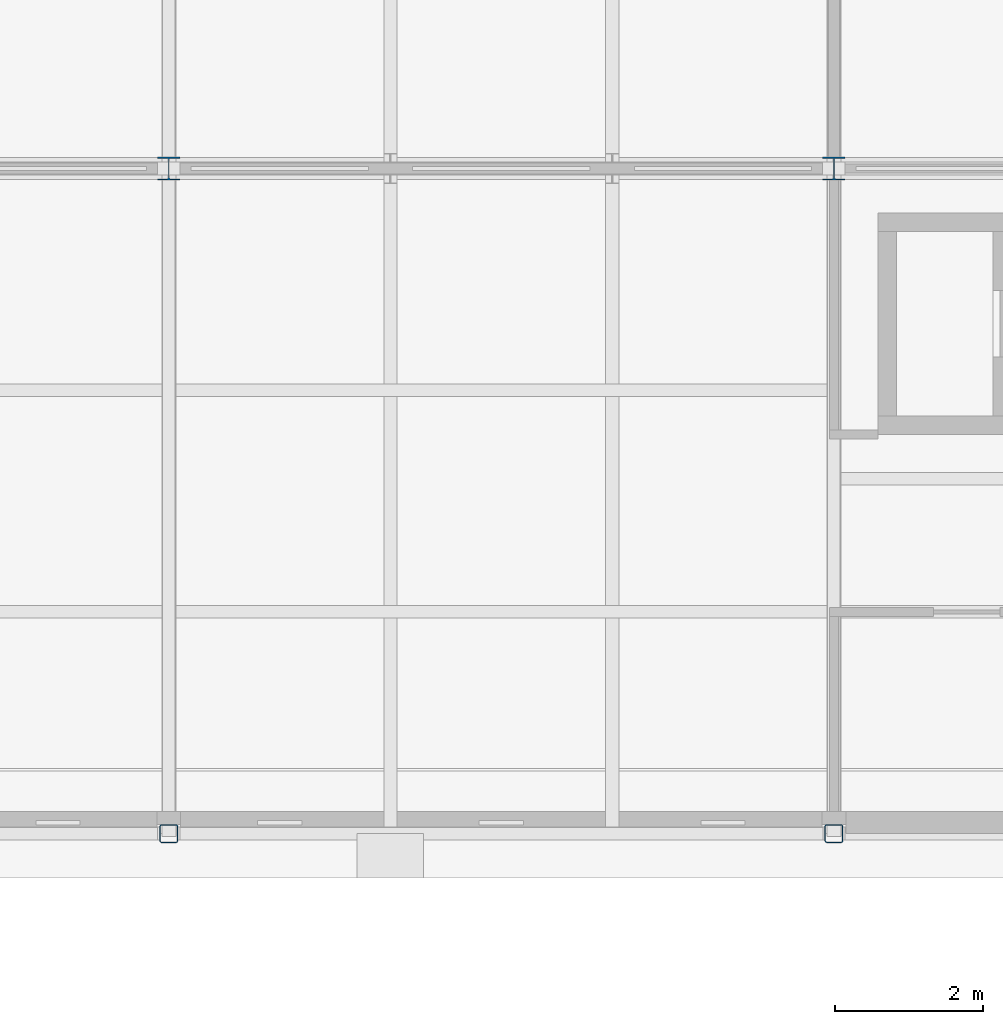
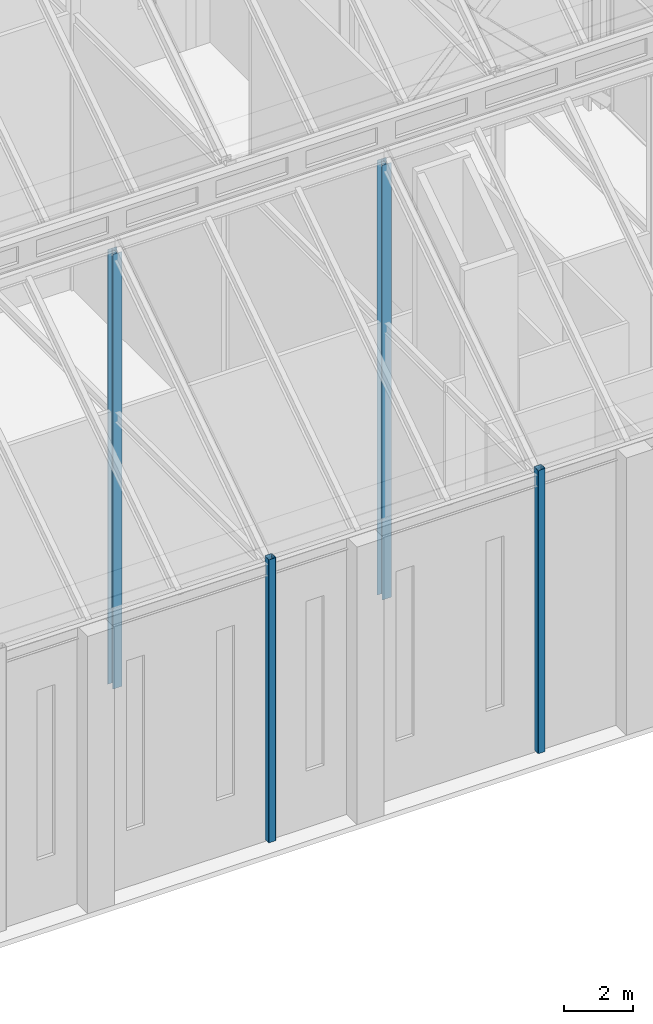
# One storey, part 3 of 111: 4 columns.
"""IFC4 building model written with IfcOpenShell, lengths in metres."""

from ifc_helpers import new_model, si_unit, direction, frame, origin, origin_2d, place, context, subcontext, project, spatial, hollow_rectangle, i_section, extrude, material, material_profile, profile_set, type_object, element, save


model = new_model("IFC4")

# Units and contexts
model_context = context("Model", 3, precision=1e-05, world=origin(), true_north=direction((0.0, 1.0)))
body_context = subcontext(model_context, "Body", "Model", "MODEL_VIEW")
ifc_project = project(units=[si_unit("LENGTHUNIT", "METRE"), si_unit("AREAUNIT", "SQUARE_METRE"), si_unit("VOLUMEUNIT", "CUBIC_METRE"), si_unit("PLANEANGLEUNIT", "RADIAN"), si_unit("MASSUNIT", "GRAM", prefix="KILO")], contexts=[model_context])

# Site, building, storey
site_placement = place(None, origin())
site = spatial("IfcSite", under=ifc_project, at=site_placement, CompositionType="ELEMENT")
building_placement = place(site_placement, origin())
building = spatial("IfcBuilding", under=site, at=building_placement, Name="Shorebreak Coast Museum", CompositionType="ELEMENT")
storey_placement = place(building_placement, frame((0.0, 0.0, 16.0)))
storey = spatial("IfcBuildingStorey", under=building, at=storey_placement, Name="L03", CompositionType="ELEMENT", Elevation=16.0)

# Columns
ifc_material_1 = material(Name="Steel Grade C450L0", Category="steel")
ifc_material_profile_1 = material_profile(ifc_material_1, hollow_rectangle(XDim=0.25, YDim=0.25, WallThickness=0.012451171875, InnerFilletRadius=0.018798828125, OuterFilletRadius=0.03125, at=origin_2d()), Name="250x250x12.5 SHS")
ifc_profile_set_1 = profile_set([ifc_material_profile_1], Name="Steel Grade C450L0")
column_type_1 = type_object("IfcColumnType", Name="Column 250x250x12.5 SHS", PredefinedType="COLUMN", material=ifc_profile_set_1)
for number, where, z_axis, x_axis, name in (
    (1, (144.0, 54.0, 0.0), (0.0, 0.0, 1.0), (1.0, 0.0, 0.0), "Column L03 17G"),
    (2, (153.0, 54.0, 0.0), (0.0, 0.0, 1.0), (1.0, 0.0, 0.0), "Column L03 18G"),
):
    element("IfcColumn", number, at=place(storey_placement, frame(where, z_axis=z_axis, x_axis=x_axis)), inside=storey, type_object=column_type_1, Name=name, PredefinedType="COLUMN", context=body_context, shape_type="SweptSolid", body=[
        extrude(hollow_rectangle(XDim=0.25, YDim=0.25, WallThickness=0.012451171875, InnerFilletRadius=0.018798828125, OuterFilletRadius=0.03125, at=origin_2d()), origin(), (0.0, 0.0, 1.0), 10.0),
    ])
ifc_material_2 = material(Name="Steel Grade 300", Category="steel")
ifc_material_profile_2 = material_profile(ifc_material_2, i_section(OverallWidth=0.304931640625, OverallDepth=0.30810546875, WebThickness=0.010009765625, FlangeThickness=0.015380859375, FilletRadius=0.0166015625, at=origin_2d()), Name="310UC96.8")
ifc_profile_set_2 = profile_set([ifc_material_profile_2], Name="Steel Grade 300")
column_type_2 = type_object("IfcColumnType", Name="Column 310UC96.8", PredefinedType="COLUMN", material=ifc_profile_set_2)
for number, where, z_axis, x_axis, name in (
    (3, (144.0, 63.0, 0.0), (0.0, 0.0, 1.0), (1.0, 0.0, 0.0), "Column L03 17H"),
    (4, (153.0, 63.0, 0.0), (0.0, 0.0, 1.0), (1.0, 0.0, 0.0), "Column L03 18H"),
):
    element("IfcColumn", number, at=place(storey_placement, frame(where, z_axis=z_axis, x_axis=x_axis)), inside=storey, type_object=column_type_2, Name=name, PredefinedType="COLUMN", context=body_context, shape_type="SweptSolid", body=[
        extrude(i_section(OverallWidth=0.304931640625, OverallDepth=0.30810546875, WebThickness=0.010009765625, FlangeThickness=0.015380859375, FilletRadius=0.0166015625, at=origin_2d()), origin(), (0.0, 0.0, 1.0), 15.353271484375),
    ])

save(model, "model.ifc")
